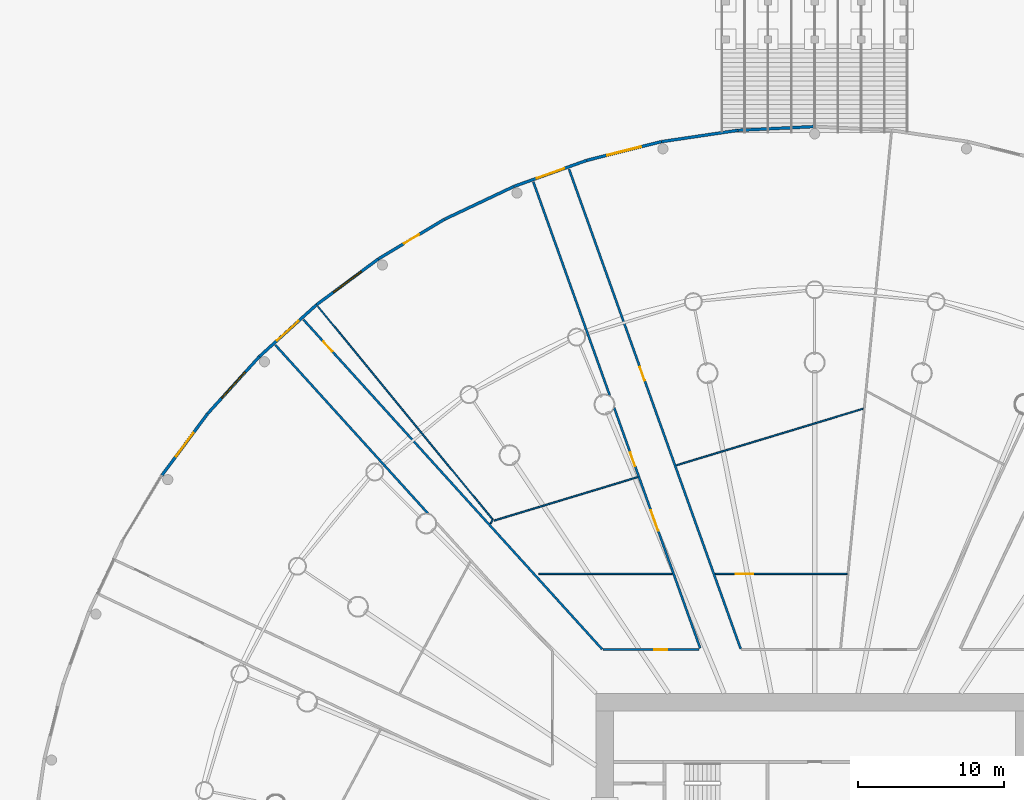
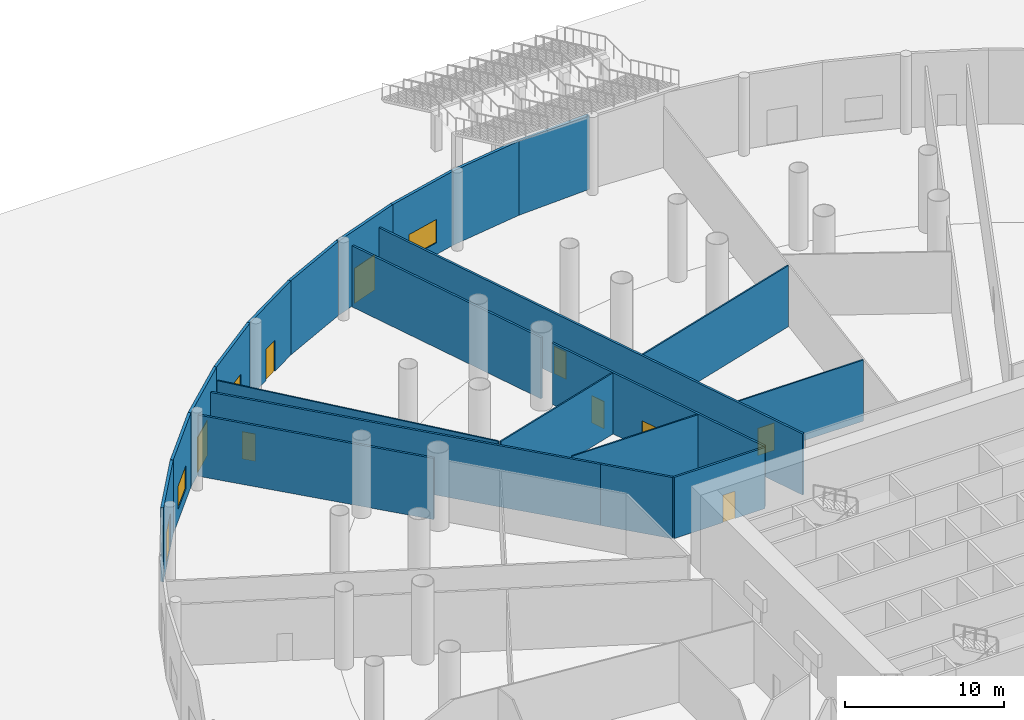
# One storey, part 19 of 33: 23 walls, 10 doors, 3 windows, 13 openings.
"""IFC4 building model written with IfcOpenShell, lengths in metres."""

from ifc_helpers import new_model, si_unit, direction, frame, frame_2d, origin, place, context, subcontext, project, spatial, rectangle, extrude, material, layer, layer_set, type_object, element, fill, save


model = new_model("IFC4")

# Units and contexts
model_context = context("Model", 3, precision=1e-05, world=origin(), true_north=direction((0.0, 1.0)))
body_context = subcontext(model_context, "Body", "Model", "MODEL_VIEW")
ifc_project = project(units=[si_unit("LENGTHUNIT", "METRE"), si_unit("AREAUNIT", "SQUARE_METRE"), si_unit("VOLUMEUNIT", "CUBIC_METRE"), si_unit("PLANEANGLEUNIT", "RADIAN"), si_unit("MASSUNIT", "GRAM", prefix="KILO")], contexts=[model_context])

# Site, building, storey
site_placement = place(None, origin())
site = spatial("IfcSite", under=ifc_project, at=site_placement, CompositionType="ELEMENT")
building_placement = place(site_placement, origin())
building = spatial("IfcBuilding", under=site, at=building_placement, Name="Corvane Civic Tower", CompositionType="ELEMENT")
storey_placement = place(building_placement, origin())
storey = spatial("IfcBuildingStorey", under=building, at=storey_placement, Name="G", CompositionType="ELEMENT", Elevation=0.0)

# Wall, opening, door
ifc_material_1 = material(Name="Limestone cladding", Category="masonry")
ifc_layer_1 = layer(ifc_material_1, 0.199951171875)
ifc_layer_set_1 = layer_set([ifc_layer_1], Name="Limestone cladding")
wall_type_1 = type_object("IfcWallType", Name="PODIUM-W-PLINTH-200", PredefinedType="SOLIDWALL", material=ifc_layer_set_1)
wall_1_placement = place(storey_placement, frame((-44.81298828125, 29.94921875, 0.0), z_axis=(0.0, 0.0, 1.0), x_axis=(0.595677574746, 0.803223646903, 0.0)))
wall_1 = element("IfcWall", 1, at=wall_1_placement, inside=storey, type_object=wall_type_1, Name="Plinth stone wall 28A", PredefinedType="SOLIDWALL", context=body_context, shape_type="SweptSolid", body=[
    extrude(rectangle(XDim=5.279296875, YDim=0.199951171875, at=frame_2d((2.6396484375, 0.0))), origin(), (0.0, 0.0, 1.0), 5.699951171875),
])
opening_1_placement = place(wall_1_placement, frame((1.6396484375, 0.0, 0.0)))
opening_1 = element("IfcOpeningElement", 2, at=opening_1_placement, cuts=wall_1, Name="Opening ED-G-X28", PredefinedType="OPENING", context=body_context, shape_type="SweptSolid", body=[
    extrude(rectangle(XDim=2.0, YDim=2.699951171875, at=frame_2d((1.0, 1.35009765625))), frame((0.0, 0.10986328125, 0.0), z_axis=(0.0, -1.0, 0.0), x_axis=(1.0, 0.0, 0.0)), (0.0, 0.0, 1.0), 0.219970703125),
])
ifc_material_2 = material(Name="Anodised aluminium and glass", Category="aluminium")
door_type_1 = type_object("IfcDoorType", Name="PODIUM-D-EXIT-2000", OperationType="DOUBLE_DOOR_SINGLE_SWING", PredefinedType="DOOR", material=ifc_material_2)
door_1_placement = place(opening_1_placement, origin())
door_1 = element("IfcDoor", 3, at=door_1_placement, inside=storey, type_object=door_type_1, Name="Exit door 28", OperationType="DOUBLE_DOOR_SINGLE_SWING", OverallHeight=2.699951171875, OverallWidth=2.0, PredefinedType="DOOR", context=body_context, shape_type="SweptSolid", body=[
    extrude(rectangle(XDim=2.0, YDim=2.699951171875, at=frame_2d((1.0, 1.35009765625))), frame((0.0, 0.02490234375, 0.0), z_axis=(0.0, -1.0, 0.0), x_axis=(1.0, 0.0, 0.0)), (0.0, 0.0, 1.0), 0.050048828125),
])
fill(opening_1, door_1)

# Wall, opening, window
wall_2_placement = place(storey_placement, frame((-41.661865234375, 34.197509765625, 0.0), z_axis=(0.0, 0.0, 1.0), x_axis=(0.671548782045, 0.740960345318, 0.0)))
wall_2 = element("IfcWall", 4, at=wall_2_placement, inside=storey, type_object=wall_type_1, Name="Plinth stone wall 28B", PredefinedType="SOLIDWALL", context=body_context, shape_type="SweptSolid", body=[
    extrude(rectangle(XDim=5.279541015625, YDim=0.199951171875, at=frame_2d((2.6396484375, 0.0))), origin(), (0.0, 0.0, 1.0), 5.699951171875),
])
opening_2_placement = place(wall_2_placement, frame((1.439697265625, 0.0, 0.89990234375)))
opening_2 = element("IfcOpeningElement", 5, at=opening_2_placement, cuts=wall_2, Name="Opening EW-G-28", PredefinedType="OPENING", context=body_context, shape_type="SweptSolid", body=[
    extrude(rectangle(XDim=2.39990234375, YDim=1.800048828125, at=frame_2d((1.199951171875, 0.89990234375))), frame((0.0, 0.10986328125, 0.0), z_axis=(0.0, -1.0, 0.0), x_axis=(1.0, 0.0, 0.0)), (0.0, 0.0, 1.0), 0.219970703125),
])
ifc_material_3 = material(Name="Anodised aluminium and glass", Category="aluminium")
window_type = type_object("IfcWindowType", Name="PODIUM-WN-PLINTH-2400x1800", PartitioningType="DOUBLE_PANEL_VERTICAL", PredefinedType="WINDOW", material=ifc_material_3)
window_1_placement = place(opening_2_placement, origin())
window_1 = element("IfcWindow", 6, at=window_1_placement, inside=storey, type_object=window_type, Name="Public hall window 28", OverallHeight=1.800048828125, OverallWidth=2.39990234375, PartitioningType="SINGLE_PANEL", PredefinedType="WINDOW", context=body_context, shape_type="SweptSolid", body=[
    extrude(rectangle(XDim=2.39990234375, YDim=1.800048828125, at=frame_2d((1.199951171875, 0.89990234375))), frame((0.0, 0.030029296875, 0.0), z_axis=(0.0, -1.0, 0.0), x_axis=(1.0, 0.0, 0.0)), (0.0, 0.0, 1.0), 0.06005859375),
])
fill(opening_2, window_1)

# Wall, opening, door
wall_3_placement = place(storey_placement, frame((-38.109375, 38.116455078125, 0.0), z_axis=(0.0, 0.0, 1.0), x_axis=(0.740960345318, 0.671548782045, 0.0)))
wall_3 = element("IfcWall", 7, at=wall_3_placement, inside=storey, type_object=wall_type_1, Name="Plinth stone wall 29A", PredefinedType="SOLIDWALL", context=body_context, shape_type="SweptSolid", body=[
    extrude(rectangle(XDim=5.279541015625, YDim=0.199951171875, at=frame_2d((2.6396484375, 0.0))), origin(), (0.0, 0.0, 1.0), 5.699951171875),
])
opening_3_placement = place(wall_3_placement, frame((1.6396484375, 0.0, 0.0)))
opening_3 = element("IfcOpeningElement", 8, at=opening_3_placement, cuts=wall_3, Name="Opening ED-G-X29", PredefinedType="OPENING", context=body_context, shape_type="SweptSolid", body=[
    extrude(rectangle(XDim=2.0, YDim=2.699951171875, at=frame_2d((1.0, 1.35009765625))), frame((0.0, 0.10986328125, 0.0), z_axis=(0.0, -1.0, 0.0), x_axis=(1.0, 0.0, 0.0)), (0.0, 0.0, 1.0), 0.219970703125),
])
door_2_placement = place(opening_3_placement, origin())
door_2 = element("IfcDoor", 9, at=door_2_placement, inside=storey, type_object=door_type_1, Name="Exit door 29", OperationType="DOUBLE_DOOR_SINGLE_SWING", OverallHeight=2.699951171875, OverallWidth=2.0, PredefinedType="DOOR", context=body_context, shape_type="SweptSolid", body=[
    extrude(rectangle(XDim=2.0, YDim=2.699951171875, at=frame_2d((1.0, 1.35009765625))), frame((0.0, 0.02490234375, 0.0), z_axis=(0.0, -1.0, 0.0), x_axis=(1.0, 0.0, 0.0)), (0.0, 0.0, 1.0), 0.050048828125),
])
fill(opening_3, door_2)

# Wall, opening, window
wall_4_placement = place(storey_placement, frame((-34.189697265625, 41.668212890625, 0.0), z_axis=(0.0, 0.0, 1.0), x_axis=(0.803223646903, 0.595677574746, 0.0)))
wall_4 = element("IfcWall", 10, at=wall_4_placement, inside=storey, type_object=wall_type_1, Name="Plinth stone wall 29B", PredefinedType="SOLIDWALL", context=body_context, shape_type="SweptSolid", body=[
    extrude(rectangle(XDim=5.279296875, YDim=0.199951171875, at=frame_2d((2.6396484375, 0.0))), origin(), (0.0, 0.0, 1.0), 5.699951171875),
])
opening_4_placement = place(wall_4_placement, frame((1.439697265625, 0.0, 0.89990234375)))
opening_4 = element("IfcOpeningElement", 11, at=opening_4_placement, cuts=wall_4, Name="Opening EW-G-29", PredefinedType="OPENING", context=body_context, shape_type="SweptSolid", body=[
    extrude(rectangle(XDim=2.39990234375, YDim=1.800048828125, at=frame_2d((1.199951171875, 0.89990234375))), frame((0.0, 0.10986328125, 0.0), z_axis=(0.0, -1.0, 0.0), x_axis=(1.0, 0.0, 0.0)), (0.0, 0.0, 1.0), 0.219970703125),
])
window_2_placement = place(opening_4_placement, origin())
window_2 = element("IfcWindow", 12, at=window_2_placement, inside=storey, type_object=window_type, Name="Public hall window 29", OverallHeight=1.800048828125, OverallWidth=2.39990234375, PartitioningType="SINGLE_PANEL", PredefinedType="WINDOW", context=body_context, shape_type="SweptSolid", body=[
    extrude(rectangle(XDim=2.39990234375, YDim=1.800048828125, at=frame_2d((1.199951171875, 0.89990234375))), frame((0.0, 0.030029296875, 0.0), z_axis=(0.0, -1.0, 0.0), x_axis=(1.0, 0.0, 0.0)), (0.0, 0.0, 1.0), 0.06005859375),
])
fill(opening_4, window_2)

# Wall, opening, door
wall_5_placement = place(storey_placement, frame((-29.940673828125, 44.81884765625, 0.0), z_axis=(0.0, 0.0, 1.0), x_axis=(0.857721349929, 0.514114856697, 0.0)))
wall_5 = element("IfcWall", 13, at=wall_5_placement, inside=storey, type_object=wall_type_1, Name="Plinth stone wall 30A", PredefinedType="SOLIDWALL", context=body_context, shape_type="SweptSolid", body=[
    extrude(rectangle(XDim=5.279296875, YDim=0.199951171875, at=frame_2d((2.6396484375, 0.0))), origin(), (0.0, 0.0, 1.0), 5.699951171875),
])
opening_5_placement = place(wall_5_placement, frame((2.039794921875, 0.0, 0.0)))
opening_5 = element("IfcOpeningElement", 14, at=opening_5_placement, cuts=wall_5, Name="Opening ED-G-S30", PredefinedType="OPENING", context=body_context, shape_type="SweptSolid", body=[
    extrude(rectangle(XDim=1.199951171875, YDim=2.39990234375, at=frame_2d((0.60009765625, 1.199951171875))), frame((0.0, 0.10986328125, 0.0), z_axis=(0.0, -1.0, 0.0), x_axis=(1.0, 0.0, 0.0)), (0.0, 0.0, 1.0), 0.219970703125),
])
ifc_material_4 = material(Name="Galvanised steel", Category="steel")
door_type_2 = type_object("IfcDoorType", Name="PODIUM-D-SERVICE-1200", OperationType="SINGLE_SWING_LEFT", PredefinedType="DOOR", material=ifc_material_4)
door_3_placement = place(opening_5_placement, origin())
door_3 = element("IfcDoor", 15, at=door_3_placement, inside=storey, type_object=door_type_2, Name="Service door 30", OperationType="SINGLE_SWING_LEFT", OverallHeight=2.39990234375, OverallWidth=1.199951171875, PredefinedType="DOOR", context=body_context, shape_type="SweptSolid", body=[
    extrude(rectangle(XDim=1.199951171875, YDim=2.39990234375, at=frame_2d((0.60009765625, 1.199951171875))), frame((0.0, 0.02490234375, 0.0), z_axis=(0.0, -1.0, 0.0), x_axis=(1.0, 0.0, 0.0)), (0.0, 0.0, 1.0), 0.050048828125),
])
fill(opening_5, door_3)

# Wall
wall_6_placement = place(storey_placement, frame((-25.403564453125, 47.53759765625, 0.0), z_axis=(0.0, 0.0, 1.0), x_axis=(0.903998505851, 0.427535614211, 0.0)))
element("IfcWall", 16, at=wall_6_placement, inside=storey, type_object=wall_type_1, Name="Plinth stone wall 30B", PredefinedType="SOLIDWALL", context=body_context, shape_type="SweptSolid", body=[
    extrude(rectangle(XDim=5.279296875, YDim=0.199951171875, at=frame_2d((2.6396484375, 0.0))), origin(), (0.0, 0.0, 1.0), 5.699951171875),
])

# Wall, opening, door
wall_7_placement = place(storey_placement, frame((-20.62158203125, 49.798583984375, 0.0), z_axis=(0.0, 0.0, 1.0), x_axis=(0.941528288028, 0.336933944331, 0.0)))
wall_7 = element("IfcWall", 17, at=wall_7_placement, inside=storey, type_object=wall_type_1, Name="Plinth stone wall 31A", PredefinedType="SOLIDWALL", context=body_context, shape_type="SweptSolid", body=[
    extrude(rectangle(XDim=5.279296875, YDim=0.199951171875, at=frame_2d((2.6396484375, 0.0))), origin(), (0.0, 0.0, 1.0), 5.699951171875),
])
opening_6_placement = place(wall_7_placement, frame((1.6396484375, 0.0, 0.0)))
opening_6 = element("IfcOpeningElement", 18, at=opening_6_placement, cuts=wall_7, Name="Opening ED-G-X31", PredefinedType="OPENING", context=body_context, shape_type="SweptSolid", body=[
    extrude(rectangle(XDim=2.0, YDim=2.699951171875, at=frame_2d((1.0, 1.35009765625))), frame((0.0, 0.10986328125, 0.0), z_axis=(0.0, -1.0, 0.0), x_axis=(1.0, 0.0, 0.0)), (0.0, 0.0, 1.0), 0.219970703125),
])
door_4_placement = place(opening_6_placement, origin())
door_4 = element("IfcDoor", 19, at=door_4_placement, inside=storey, type_object=door_type_1, Name="Exit door 31", OperationType="DOUBLE_DOOR_SINGLE_SWING", OverallHeight=2.699951171875, OverallWidth=2.0, PredefinedType="DOOR", context=body_context, shape_type="SweptSolid", body=[
    extrude(rectangle(XDim=2.0, YDim=2.699951171875, at=frame_2d((1.0, 1.35009765625))), frame((0.0, 0.02490234375, 0.0), z_axis=(0.0, -1.0, 0.0), x_axis=(1.0, 0.0, 0.0)), (0.0, 0.0, 1.0), 0.050048828125),
])
fill(opening_6, door_4)

# Wall, opening, window
wall_8_placement = place(storey_placement, frame((-15.641357421875, 51.580078125, 0.0), z_axis=(0.0, 0.0, 1.0), x_axis=(0.970022690602, 0.243014361132, 0.0)))
wall_8 = element("IfcWall", 20, at=wall_8_placement, inside=storey, type_object=wall_type_1, Name="Plinth stone wall 31B", PredefinedType="SOLIDWALL", context=body_context, shape_type="SweptSolid", body=[
    extrude(rectangle(XDim=5.279296875, YDim=0.199951171875, at=frame_2d((2.6396484375, 0.0))), origin(), (0.0, 0.0, 1.0), 5.699951171875),
])
opening_7_placement = place(wall_8_placement, frame((1.439697265625, 0.0, 0.89990234375)))
opening_7 = element("IfcOpeningElement", 21, at=opening_7_placement, cuts=wall_8, Name="Opening EW-G-31", PredefinedType="OPENING", context=body_context, shape_type="SweptSolid", body=[
    extrude(rectangle(XDim=2.39990234375, YDim=1.800048828125, at=frame_2d((1.199951171875, 0.89990234375))), frame((0.0, 0.10986328125, 0.0), z_axis=(0.0, -1.0, 0.0), x_axis=(1.0, 0.0, 0.0)), (0.0, 0.0, 1.0), 0.219970703125),
])
window_3_placement = place(opening_7_placement, origin())
window_3 = element("IfcWindow", 22, at=window_3_placement, inside=storey, type_object=window_type, Name="Public hall window 31", OverallHeight=1.800048828125, OverallWidth=2.39990234375, PartitioningType="SINGLE_PANEL", PredefinedType="WINDOW", context=body_context, shape_type="SweptSolid", body=[
    extrude(rectangle(XDim=2.39990234375, YDim=1.800048828125, at=frame_2d((1.199951171875, 0.89990234375))), frame((0.0, 0.030029296875, 0.0), z_axis=(0.0, -1.0, 0.0), x_axis=(1.0, 0.0, 0.0)), (0.0, 0.0, 1.0), 0.06005859375),
])
fill(opening_7, window_3)

# Walls
for number, where, z_axis, x_axis, name in (
    (23, (-10.51025390625, 52.864990234375, 0.0), (0.0, 0.0, 1.0), (0.989175884212, 0.146734692875, 0.0), "Plinth stone wall 32A"),
    (24, (-5.278076171875, 53.640625, 0.0), (0.0, 0.0, 1.0), (0.998795550715, 0.0490657505, 0.0), "Plinth stone wall 32B"),
):
    element("IfcWall", number, at=place(storey_placement, frame(where, z_axis=z_axis, x_axis=x_axis)), inside=storey, type_object=wall_type_1, Name=name, PredefinedType="SOLIDWALL", context=body_context, shape_type="SweptSolid", body=[
        extrude(rectangle(XDim=5.279296875, YDim=0.199951171875, at=frame_2d((2.6396484375, 0.0))), origin(), (0.0, 0.0, 1.0), 5.699951171875),
    ])
ifc_material_5 = material(Name="Plasterboard")
ifc_layer_2 = layer(ifc_material_5, 0.10009765625)
ifc_layer_set_2 = layer_set([ifc_layer_2], Name="Plasterboard")
wall_type_2 = type_object("IfcWallType", Name="Partition 100 plasterboard on studs", PredefinedType="PARTITIONING", material=ifc_layer_set_2)
wall_9_placement = place(storey_placement, frame((-18.93408203125, 23.199951171875, 0.0), z_axis=(0.0, 0.0, 1.0), x_axis=(1.0, 0.0, 0.0)))
element("IfcWall", 25, at=wall_9_placement, inside=storey, type_object=wall_type_2, Name="Partition G.088", PredefinedType="PARTITIONING", context=body_context, shape_type="SweptSolid", body=[
    extrude(rectangle(XDim=9.15478515625, YDim=0.10009765625, at=frame_2d((4.577392578125, 0.0))), origin(), (0.0, 0.0, 1.0), 4.699951171875),
])

# Wall, opening, door
wall_10_placement = place(storey_placement, frame((-6.82275390625, 23.199951171875, 0.0), z_axis=(0.0, 0.0, 1.0), x_axis=(1.0, 0.0, 0.0)))
wall_10 = element("IfcWall", 26, at=wall_10_placement, inside=storey, type_object=wall_type_2, Name="Partition G.089", PredefinedType="PARTITIONING", context=body_context, shape_type="SweptSolid", body=[
    extrude(rectangle(XDim=9.052490234375, YDim=0.10009765625, at=frame_2d((4.5263671875, 0.0))), origin(), (0.0, 0.0, 1.0), 4.699951171875),
])
opening_8_placement = place(wall_10_placement, frame((1.409423828125, 0.0, 0.0)))
opening_8 = element("IfcOpeningElement", 27, at=opening_8_placement, cuts=wall_10, Name="Opening G.047", PredefinedType="OPENING", context=body_context, shape_type="SweptSolid", body=[
    extrude(rectangle(XDim=1.199951171875, YDim=2.10009765625, at=frame_2d((0.60009765625, 1.050048828125))), frame((0.0, 0.06005859375, 0.0), z_axis=(0.0, -1.0, 0.0), x_axis=(1.0, 0.0, 0.0)), (0.0, 0.0, 1.0), 0.1201171875),
])
ifc_material_6 = material(Name="Timber", Category="wood")
door_type_3 = type_object("IfcDoorType", Name="Double door 1200", OperationType="NOTDEFINED", PredefinedType="DOOR", material=ifc_material_6)
door_5_placement = place(opening_8_placement, origin())
door_5 = element("IfcDoor", 28, at=door_5_placement, inside=storey, type_object=door_type_3, Name="Door G.047", OperationType="DOUBLE_DOOR_SINGLE_SWING", OverallHeight=2.10009765625, OverallWidth=1.199951171875, PredefinedType="DOOR", context=body_context, shape_type="SweptSolid", body=[
    extrude(rectangle(XDim=1.199951171875, YDim=2.10009765625, at=frame_2d((0.60009765625, 1.050048828125))), frame((0.0, 0.02490234375, 0.0), z_axis=(0.0, -1.0, 0.0), x_axis=(1.0, 0.0, 0.0)), (0.0, 0.0, 1.0), 0.050048828125),
])
fill(opening_8, door_5)

# Walls
wall_11_placement = place(storey_placement, frame((-21.99853515625, 26.85400390625, 0.0), z_axis=(0.0, 0.0, 1.0), x_axis=(0.956937849309, 0.290292873767, 0.0)))
element("IfcWall", 29, at=wall_11_placement, inside=storey, type_object=wall_type_2, Name="Partition G.091", PredefinedType="PARTITIONING", context=body_context, shape_type="SweptSolid", body=[
    extrude(rectangle(XDim=10.30078125, YDim=0.10009765625, at=frame_2d((5.150390625, 0.0))), origin(), (0.0, 0.0, 1.0), 4.699951171875),
])
wall_12_placement = place(storey_placement, frame((-34.0986328125, 41.54931640625, 0.0), z_axis=(0.0, 0.0, 1.0), x_axis=(0.634394203614, -0.773009698788, 0.0)))
element("IfcWall", 30, at=wall_12_placement, inside=storey, type_object=wall_type_2, Name="Partition G.092", PredefinedType="PARTITIONING", context=body_context, shape_type="SweptSolid", body=[
    extrude(rectangle(XDim=18.900390625, YDim=0.10009765625, at=frame_2d((9.4501953125, 0.0))), origin(), (0.0, 0.0, 1.0), 4.699951171875),
])
wall_13_placement = place(storey_placement, frame((-9.501953125, 30.64501953125, 0.0), z_axis=(0.0, 0.0, 1.0), x_axis=(0.956943530539, 0.29027414518, 0.0)))
element("IfcWall", 31, at=wall_13_placement, inside=storey, type_object=wall_type_2, Name="Partition G.094", PredefinedType="PARTITIONING", context=body_context, shape_type="SweptSolid", body=[
    extrude(rectangle(XDim=13.41162109375, YDim=0.10009765625, at=frame_2d((6.705810546875, 0.0))), origin(), (0.0, 0.0, 1.0), 4.699951171875),
])
wall_14_placement = place(storey_placement, frame((-22.2412109375, 26.646484375, 0.0), z_axis=(0.0, 0.0, 1.0), x_axis=(0.471440177486, 0.881898043456, 0.0)))
element("IfcWall", 32, at=wall_14_placement, inside=storey, type_object=wall_type_2, Name="Partition G.100", PredefinedType="PARTITIONING", context=body_context, shape_type="SweptSolid", body=[
    extrude(rectangle(XDim=0.312255859375, YDim=0.10009765625, at=frame_2d((0.15625, 0.0))), origin(), (0.0, 0.0, 1.0), 4.699951171875),
])

# Wall, opening, door
ifc_material_7 = material(Name="Plasterboard")
ifc_layer_3 = layer(ifc_material_7, 0.14990234375)
ifc_layer_set_3 = layer_set([ifc_layer_3], Name="Plasterboard")
wall_type_3 = type_object("IfcWallType", Name="Tenancy wall 150 EI 60", PredefinedType="PARTITIONING", material=ifc_layer_set_3)
wall_15_placement = place(storey_placement, frame((-14.526611328125, 18.0, 0.0), z_axis=(0.0, 0.0, 1.0), x_axis=(1.0, 0.0, 0.0)))
wall_15 = element("IfcWall", 33, at=wall_15_placement, inside=storey, type_object=wall_type_3, Name="Partition G.075", PredefinedType="PARTITIONING", context=body_context, shape_type="SweptSolid", body=[
    extrude(rectangle(XDim=6.598876953125, YDim=0.14990234375, at=frame_2d((3.29931640625, 0.0))), origin(), (0.0, 0.0, 1.0), 4.699951171875),
])
opening_9_placement = place(wall_15_placement, frame((3.52099609375, 0.0, 0.0)))
opening_9 = element("IfcOpeningElement", 34, at=opening_9_placement, cuts=wall_15, Name="Opening G.049", PredefinedType="OPENING", context=body_context, shape_type="SweptSolid", body=[
    extrude(rectangle(XDim=0.89990234375, YDim=2.10009765625, at=frame_2d((0.449951171875, 1.050048828125))), frame((0.0, 0.0849609375, 0.0), z_axis=(0.0, -1.0, 0.0), x_axis=(1.0, 0.0, 0.0)), (0.0, 0.0, 1.0), 0.169921875),
])
ifc_material_8 = material(Name="Steel and timber", Category="steel")
door_type_4 = type_object("IfcDoorType", Name="Fire door FD30S 900", OperationType="NOTDEFINED", PredefinedType="DOOR", material=ifc_material_8)
door_6_placement = place(opening_9_placement, origin())
door_6 = element("IfcDoor", 35, at=door_6_placement, inside=storey, type_object=door_type_4, Name="Door G.049", OperationType="SINGLE_SWING_LEFT", OverallHeight=2.10009765625, OverallWidth=0.89990234375, PredefinedType="DOOR", context=body_context, shape_type="SweptSolid", body=[
    extrude(rectangle(XDim=0.89990234375, YDim=2.10009765625, at=frame_2d((0.449951171875, 1.050048828125))), frame((0.0, 0.02490234375, 0.0), z_axis=(0.0, -1.0, 0.0), x_axis=(1.0, 0.0, 0.0)), (0.0, 0.0, 1.0), 0.050048828125),
])
fill(opening_9, door_6)

# Wall
wall_16_placement = place(storey_placement, frame((-17.768310546875, 21.540283203125, 0.0), z_axis=(0.0, 0.0, 1.0), x_axis=(0.671547676575, -0.740961347229, 0.0)))
element("IfcWall", 36, at=wall_16_placement, inside=storey, type_object=wall_type_3, Name="Partition G.078", PredefinedType="PARTITIONING", context=body_context, shape_type="SweptSolid", body=[
    extrude(rectangle(XDim=4.74462890625, YDim=0.14990234375, at=frame_2d((2.372314453125, 0.0))), origin(), (0.0, 0.0, 1.0), 4.699951171875),
])

# Wall, opening, door
wall_17_placement = place(storey_placement, frame((-16.862060546875, 50.985107421875, 0.0), z_axis=(0.0, 0.0, 1.0), x_axis=(0.336889449842, -0.941544209576, 0.0)))
wall_17 = element("IfcWall", 37, at=wall_17_placement, inside=storey, type_object=wall_type_3, Name="Partition G.081", PredefinedType="PARTITIONING", context=body_context, shape_type="SweptSolid", body=[
    extrude(rectangle(XDim=34.97998046875, YDim=0.14990234375, at=frame_2d((17.489990234375, 0.0))), origin(), (0.0, 0.0, 1.0), 4.699951171875),
])
opening_10_placement = place(wall_17_placement, frame((14.423095703125, 0.0, 0.0)))
opening_10 = element("IfcOpeningElement", 38, at=opening_10_placement, cuts=wall_17, Name="Opening G.045", PredefinedType="OPENING", context=body_context, shape_type="SweptSolid", body=[
    extrude(rectangle(XDim=1.0, YDim=2.10009765625, at=frame_2d((0.5, 1.050048828125))), frame((0.0, 0.0849609375, 0.0), z_axis=(0.0, -1.0, 0.0), x_axis=(1.0, 0.0, 0.0)), (0.0, 0.0, 1.0), 0.169921875),
])
ifc_material_9 = material(Name="Steel and timber", Category="steel")
door_type_5 = type_object("IfcDoorType", Name="Fire door FD30S 1000", OperationType="NOTDEFINED", PredefinedType="DOOR", material=ifc_material_9)
door_7_placement = place(opening_10_placement, origin())
door_7 = element("IfcDoor", 39, at=door_7_placement, inside=storey, type_object=door_type_5, Name="Door G.045", OperationType="SINGLE_SWING_RIGHT", OverallHeight=2.10009765625, OverallWidth=1.0, PredefinedType="DOOR", context=body_context, shape_type="SweptSolid", body=[
    extrude(rectangle(XDim=1.0, YDim=2.10009765625, at=frame_2d((0.5, 1.050048828125))), frame((0.0, 0.02490234375, 0.0), z_axis=(0.0, -1.0, 0.0), x_axis=(1.0, 0.0, 0.0)), (0.0, 0.0, 1.0), 0.050048828125),
])
fill(opening_10, door_7)

# Wall, openings, doors
wall_18_placement = place(storey_placement, frame((-13.758544921875, 34.593994140625, 0.0), z_axis=(0.0, 0.0, 1.0), x_axis=(0.336881959449, -0.941546889644, 0.0)))
wall_18 = element("IfcWall", 40, at=wall_18_placement, inside=storey, type_object=wall_type_3, Name="Partition G.083", PredefinedType="PARTITIONING", context=body_context, shape_type="SweptSolid", body=[
    extrude(rectangle(XDim=17.517578125, YDim=0.14990234375, at=frame_2d((8.7587890625, 0.0))), origin(), (0.0, 0.0, 1.0), 4.699951171875),
])
opening_11_placement = place(wall_18_placement, frame((3.252685546875, 0.0, 0.0)))
opening_11 = element("IfcOpeningElement", 41, at=opening_11_placement, cuts=wall_18, Name="Opening G.044", PredefinedType="OPENING", context=body_context, shape_type="SweptSolid", body=[
    extrude(rectangle(XDim=1.0, YDim=2.10009765625, at=frame_2d((0.5, 1.050048828125))), frame((0.0, 0.0849609375, 0.0), z_axis=(0.0, -1.0, 0.0), x_axis=(1.0, 0.0, 0.0)), (0.0, 0.0, 1.0), 0.169921875),
])
opening_12_placement = place(wall_18_placement, frame((7.461181640625, 0.0, 0.0)))
opening_12 = element("IfcOpeningElement", 42, at=opening_12_placement, cuts=wall_18, Name="Opening G.046", PredefinedType="OPENING", context=body_context, shape_type="SweptSolid", body=[
    extrude(rectangle(XDim=1.5, YDim=2.10009765625, at=frame_2d((0.75, 1.050048828125))), frame((0.0, 0.0849609375, 0.0), z_axis=(0.0, -1.0, 0.0), x_axis=(1.0, 0.0, 0.0)), (0.0, 0.0, 1.0), 0.169921875),
])
door_8_placement = place(opening_11_placement, frame((1.0, 0.0, 0.0), z_axis=(0.0, 0.0, 1.0), x_axis=(-1.0, 0.0, 0.0)))
door_8 = element("IfcDoor", 43, at=door_8_placement, inside=storey, type_object=door_type_5, Name="Door G.044", OperationType="SINGLE_SWING_LEFT", OverallHeight=2.10009765625, OverallWidth=1.0, PredefinedType="DOOR", context=body_context, shape_type="SweptSolid", body=[
    extrude(rectangle(XDim=1.0, YDim=2.10009765625, at=frame_2d((0.5, 1.050048828125))), frame((0.0, 0.02490234375, 0.0), z_axis=(0.0, -1.0, 0.0), x_axis=(1.0, 0.0, 0.0)), (0.0, 0.0, 1.0), 0.050048828125),
])
fill(opening_11, door_8)
ifc_material_10 = material(Name="Steel and timber", Category="steel")
door_type_6 = type_object("IfcDoorType", Name="Fire door FD60 double 1500", OperationType="NOTDEFINED", PredefinedType="DOOR", material=ifc_material_10)
door_9_placement = place(opening_12_placement, frame((1.5, 0.0, 0.0), z_axis=(0.0, 0.0, 1.0), x_axis=(-1.0, 0.0, 0.0)))
door_9 = element("IfcDoor", 44, at=door_9_placement, inside=storey, type_object=door_type_6, Name="Door G.046", OperationType="DOUBLE_DOOR_SINGLE_SWING", OverallHeight=2.10009765625, OverallWidth=1.5, PredefinedType="DOOR", context=body_context, shape_type="SweptSolid", body=[
    extrude(rectangle(XDim=1.5, YDim=2.10009765625, at=frame_2d((0.75, 1.050048828125))), frame((0.0, 0.02490234375, 0.0), z_axis=(0.0, -1.0, 0.0), x_axis=(1.0, 0.0, 0.0)), (0.0, 0.0, 1.0), 0.050048828125),
])
fill(opening_12, door_9)

# Wall, opening, door
wall_19_placement = place(storey_placement, frame((-35.089599609375, 40.651123046875, 0.0), z_axis=(0.0, 0.0, 1.0), x_axis=(0.671563924439, -0.740946621149, 0.0)))
wall_19 = element("IfcWall", 45, at=wall_19_placement, inside=storey, type_object=wall_type_3, Name="Partition G.085", PredefinedType="PARTITIONING", context=body_context, shape_type="SweptSolid", body=[
    extrude(rectangle(XDim=25.79248046875, YDim=0.14990234375, at=frame_2d((12.896240234375, 0.0))), origin(), (0.0, 0.0, 1.0), 4.699951171875),
])
opening_13_placement = place(wall_19_placement, frame((2.046630859375, 0.0, 0.0)))
opening_13 = element("IfcOpeningElement", 46, at=opening_13_placement, cuts=wall_19, Name="Opening G.041", PredefinedType="OPENING", context=body_context, shape_type="SweptSolid", body=[
    extrude(rectangle(XDim=0.89990234375, YDim=2.10009765625, at=frame_2d((0.449951171875, 1.050048828125))), frame((0.0, 0.0849609375, 0.0), z_axis=(0.0, -1.0, 0.0), x_axis=(1.0, 0.0, 0.0)), (0.0, 0.0, 1.0), 0.169921875),
])
door_10_placement = place(opening_13_placement, origin())
door_10 = element("IfcDoor", 47, at=door_10_placement, inside=storey, type_object=door_type_4, Name="Door G.041", OperationType="SINGLE_SWING_LEFT", OverallHeight=2.10009765625, OverallWidth=0.89990234375, PredefinedType="DOOR", context=body_context, shape_type="SweptSolid", body=[
    extrude(rectangle(XDim=0.89990234375, YDim=2.10009765625, at=frame_2d((0.449951171875, 1.050048828125))), frame((0.0, 0.02490234375, 0.0), z_axis=(0.0, -1.0, 0.0), x_axis=(1.0, 0.0, 0.0)), (0.0, 0.0, 1.0), 0.050048828125),
])
fill(opening_13, door_10)

# Walls
wall_20_placement = place(storey_placement, frame((-37.01611328125, 38.9052734375, 0.0), z_axis=(0.0, 0.0, 1.0), x_axis=(0.67156001571, -0.740950163843, 0.0)))
element("IfcWall", 48, at=wall_20_placement, inside=storey, type_object=wall_type_3, Name="Partition G.093", PredefinedType="PARTITIONING", context=body_context, shape_type="SweptSolid", body=[
    extrude(rectangle(XDim=15.5830078125, YDim=0.14990234375, at=frame_2d((7.79150390625, 0.0))), origin(), (0.0, 0.0, 1.0), 4.699951171875),
])
wall_21_placement = place(storey_placement, frame((-19.31005859375, 50.10888671875, 0.0), z_axis=(0.0, 0.0, 1.0), x_axis=(0.336899092264, -0.941540759411, 0.0)))
element("IfcWall", 49, at=wall_21_placement, inside=storey, type_object=wall_type_3, Name="Partition G.097", PredefinedType="PARTITIONING", context=body_context, shape_type="SweptSolid", body=[
    extrude(rectangle(XDim=15.58251953125, YDim=0.14990234375, at=frame_2d((7.791259765625, 0.0))), origin(), (0.0, 0.0, 1.0), 4.699951171875),
])

save(model, "model.ifc")
